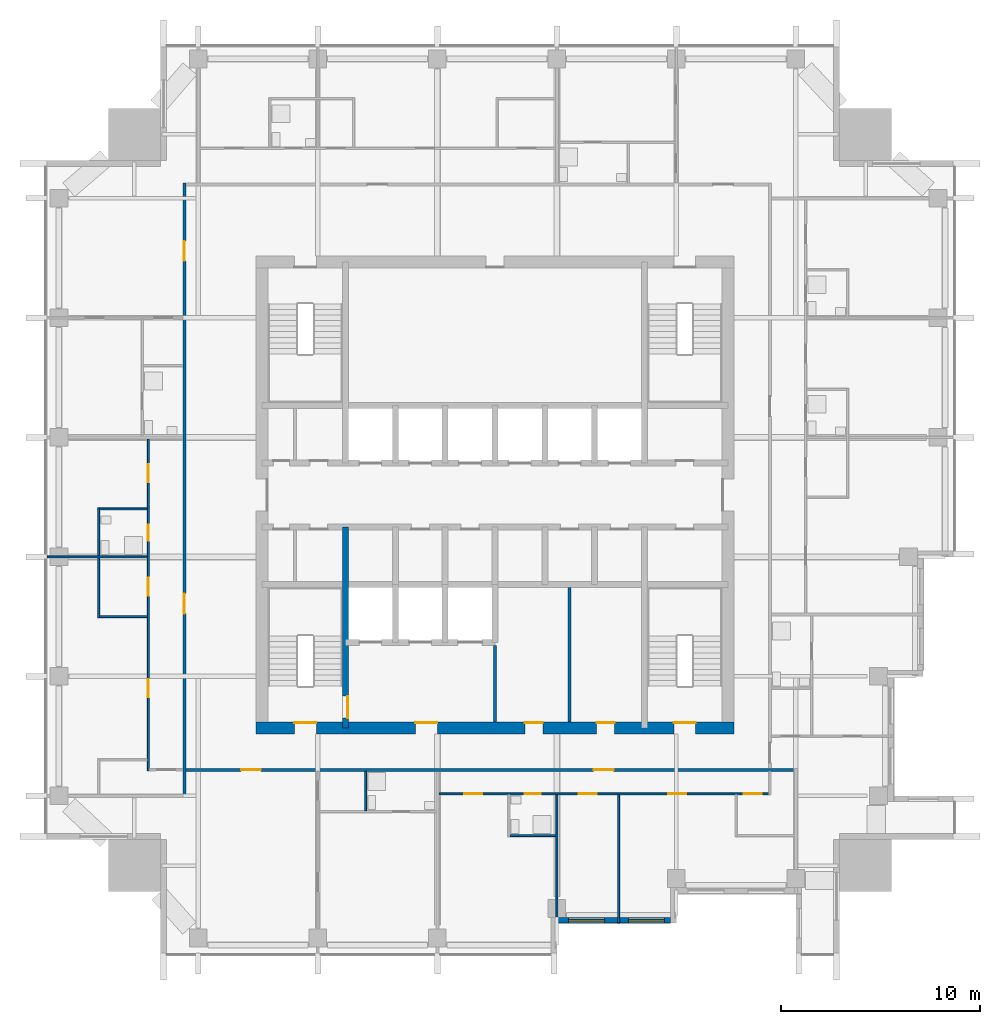
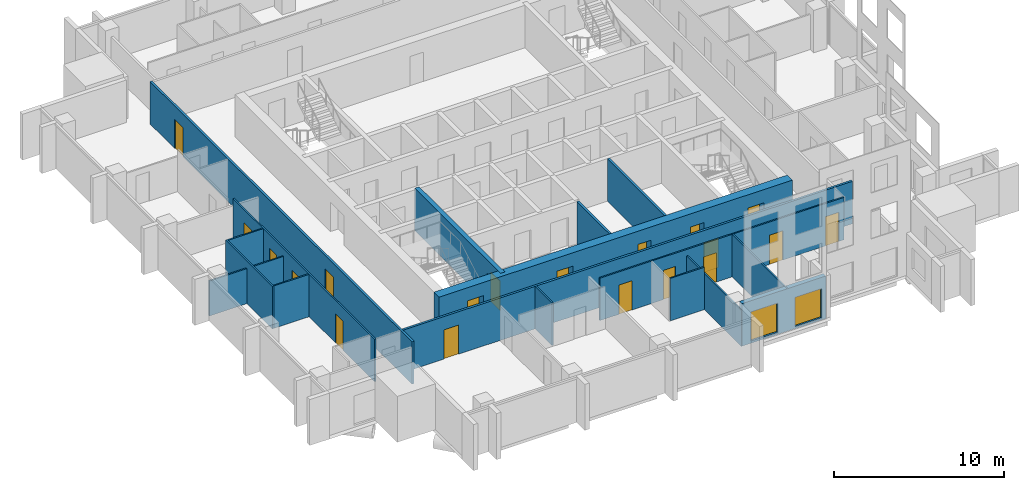
# One storey, part 4 of 12: 19 doors, 17 walls, 2 windows, 21 openings.
"""IFC4 building model written with IfcOpenShell, lengths in metres."""

from ifc_helpers import new_model, si_unit, direction, frame, frame_2d, origin, place, context, subcontext, project, spatial, rectangle, extrude, material, layer, layer_set, type_object, element, fill, save


model = new_model("IFC4")

# Units and contexts
model_context = context("Model", 3, precision=1e-05, world=origin(), true_north=direction((0.0, 1.0)))
body_context = subcontext(model_context, "Body", "Model", "MODEL_VIEW")
ifc_project = project(units=[si_unit("LENGTHUNIT", "METRE"), si_unit("AREAUNIT", "SQUARE_METRE"), si_unit("VOLUMEUNIT", "CUBIC_METRE"), si_unit("PLANEANGLEUNIT", "RADIAN"), si_unit("MASSUNIT", "GRAM", prefix="KILO")], contexts=[model_context])

# Site, building, storey
site_placement = place(None, origin())
site = spatial("IfcSite", under=ifc_project, at=site_placement, CompositionType="ELEMENT")
building_placement = place(site_placement, origin())
building = spatial("IfcBuilding", under=site, at=building_placement, Name="Amberfall Residences", CompositionType="ELEMENT")
storey_placement = place(building_placement, frame((0.0, 0.0, 187.0)))
storey = spatial("IfcBuildingStorey", under=building, at=storey_placement, Name="L49", CompositionType="ELEMENT", Elevation=187.0)

# Wall, openings, windows
ifc_material_1 = material(Name="Pale stone cladding on insulated backing", Category="masonry")
ifc_layer_1 = layer(ifc_material_1, 0.300048828125)
ifc_layer_set_1 = layer_set([ifc_layer_1], Name="Bronze clad wall 300")
wall_type_1 = type_object("IfcWallType", Name="Bronze clad wall 300", PredefinedType="SOLIDWALL", material=ifc_layer_set_1)
wall_1_placement = place(storey_placement, frame((77.60009765625, 24.14990234375, 0.0), z_axis=(0.0, 0.0, 1.0), x_axis=(1.0, 0.0, 0.0)))
wall_1 = element("IfcWall", 1, at=wall_1_placement, inside=storey, type_object=wall_type_1, Name="Stone wall L49 S", PredefinedType="SOLIDWALL", context=body_context, shape_type="SweptSolid", body=[
    extrude(rectangle(XDim=5.699951171875, YDim=0.300048828125, at=frame_2d((2.85009765625, 0.0))), origin(), (0.0, 0.0, 1.0), 3.050048828125),
])
opening_1_placement = place(wall_1_placement, frame((0.60009765625, 0.0, 0.14990234375)))
opening_1 = element("IfcOpeningElement", 2, at=opening_1_placement, cuts=wall_1, Name="Opening WN6", PredefinedType="OPENING", context=body_context, shape_type="SweptSolid", body=[
    extrude(rectangle(XDim=1.800048828125, YDim=2.10009765625, at=frame_2d((0.89990234375, 1.050048828125))), frame((0.0, 0.159912109375, 0.0), z_axis=(0.0, -1.0, 0.0), x_axis=(1.0, 0.0, 0.0)), (0.0, 0.0, 1.0), 0.320068359375),
])
opening_2_placement = place(wall_1_placement, frame((3.60009765625, 0.0, 0.14990234375)))
opening_2 = element("IfcOpeningElement", 3, at=opening_2_placement, cuts=wall_1, Name="Opening WN6", PredefinedType="OPENING", context=body_context, shape_type="SweptSolid", body=[
    extrude(rectangle(XDim=1.800048828125, YDim=2.10009765625, at=frame_2d((0.89990234375, 1.050048828125))), frame((0.0, 0.159912109375, 0.0), z_axis=(0.0, -1.0, 0.0), x_axis=(1.0, 0.0, 0.0)), (0.0, 0.0, 1.0), 0.320068359375),
])
ifc_material_2 = material(Name="Bronze aluminium framed glazing", Category="aluminium")
window_type = type_object("IfcWindowType", Name="Glazed opening 1800 x 2100 bronze", PartitioningType="DOUBLE_PANEL_VERTICAL", PredefinedType="WINDOW", material=ifc_material_2)
window_1_placement = place(opening_1_placement, origin())
window_1 = element("IfcWindow", 4, at=window_1_placement, inside=storey, type_object=window_type, Name="Window L49 S", OverallHeight=2.10009765625, OverallWidth=1.800048828125, PartitioningType="DOUBLE_PANEL_VERTICAL", PredefinedType="WINDOW", context=body_context, shape_type="SweptSolid", body=[
    extrude(rectangle(XDim=1.800048828125, YDim=2.10009765625, at=frame_2d((0.89990234375, 1.050048828125))), frame((0.0, 0.030029296875, 0.0), z_axis=(0.0, -1.0, 0.0), x_axis=(1.0, 0.0, 0.0)), (0.0, 0.0, 1.0), 0.06005859375),
])
fill(opening_1, window_1)
window_2_placement = place(opening_2_placement, origin())
window_2 = element("IfcWindow", 5, at=window_2_placement, inside=storey, type_object=window_type, Name="Window L49 S", OverallHeight=2.10009765625, OverallWidth=1.800048828125, PartitioningType="DOUBLE_PANEL_VERTICAL", PredefinedType="WINDOW", context=body_context, shape_type="SweptSolid", body=[
    extrude(rectangle(XDim=1.800048828125, YDim=2.10009765625, at=frame_2d((0.89990234375, 1.050048828125))), frame((0.0, 0.030029296875, 0.0), z_axis=(0.0, -1.0, 0.0), x_axis=(1.0, 0.0, 0.0)), (0.0, 0.0, 1.0), 0.06005859375),
])
fill(opening_2, window_2)

# Wall, opening, door
ifc_material_3 = material(Name="Concrete C55", Category="concrete")
ifc_layer_2 = layer(ifc_material_3, 0.300048828125)
ifc_layer_set_2 = layer_set([ifc_layer_2], Name="Core wall 300 C55")
wall_type_2 = type_object("IfcWallType", Name="Core wall 300 C55", PredefinedType="SHEAR", material=ifc_layer_set_2)
wall_2_placement = place(storey_placement, frame((67.0, 33.800048828125, 0.0), z_axis=(0.0, 0.0, 1.0), x_axis=(0.0, 1.0, 0.0)))
wall_2 = element("IfcWall", 6, at=wall_2_placement, inside=storey, type_object=wall_type_2, Name="Core wall RW8 L49 V45S", PredefinedType="SHEAR", context=body_context, shape_type="SweptSolid", body=[
    extrude(rectangle(XDim=10.099853515625, YDim=0.300048828125, at=frame_2d((5.0498046875, 0.0))), origin(), (0.0, 0.0, 1.0), 3.050048828125),
])
opening_3_placement = place(wall_2_placement, frame((0.5, 0.0, 0.0)))
opening_3 = element("IfcOpeningElement", 7, at=opening_3_placement, cuts=wall_2, Name="Opening FL1", PredefinedType="OPENING", context=body_context, shape_type="SweptSolid", body=[
    extrude(rectangle(XDim=1.10009765625, YDim=2.10009765625, at=frame_2d((0.550048828125, 1.050048828125))), frame((0.0, 0.159912109375, 0.0), z_axis=(0.0, -1.0, 0.0), x_axis=(1.0, 0.0, 0.0)), (0.0, 0.0, 1.0), 0.320068359375),
])
ifc_material_4 = material(Name="Steel fire door set", Category="steel")
door_type_1 = type_object("IfcDoorType", Name="Firefighting lobby door 1100 x 2100", OperationType="SINGLE_SWING_LEFT", PredefinedType="DOOR", material=ifc_material_4)
door_1_placement = place(opening_3_placement, origin())
door_1 = element("IfcDoor", 8, at=door_1_placement, inside=storey, type_object=door_type_1, Name="FL1 L49", OperationType="SINGLE_SWING_RIGHT", OverallHeight=2.10009765625, OverallWidth=1.10009765625, PredefinedType="DOOR", context=body_context, shape_type="SweptSolid", body=[
    extrude(rectangle(XDim=1.10009765625, YDim=2.10009765625, at=frame_2d((0.550048828125, 1.050048828125))), frame((0.0, -0.08740234375, 0.0), z_axis=(0.0, -1.0, 0.0), x_axis=(1.0, 0.0, 0.0)), (0.0, 0.0, 1.0), 0.050048828125),
])
fill(opening_3, door_1)

# Wall, openings, doors
ifc_layer_3 = layer(ifc_material_3, 0.60009765625)
ifc_layer_set_3 = layer_set([ifc_layer_3], Name="Core wall 600 C55")
wall_type_3 = type_object("IfcWallType", Name="Core wall 600 C55", PredefinedType="SHEAR", material=ifc_layer_set_3)
wall_3_placement = place(storey_placement, frame((62.5, 33.800048828125, 0.0), z_axis=(0.0, 0.0, 1.0), x_axis=(1.0, 0.0, 0.0)))
wall_3 = element("IfcWall", 9, at=wall_3_placement, inside=storey, type_object=wall_type_3, Name="Core wall RW7 L49 OS", PredefinedType="SHEAR", context=body_context, shape_type="SweptSolid", body=[
    extrude(rectangle(XDim=24.0, YDim=0.60009765625, at=frame_2d((12.0, 0.0))), origin(), (0.0, 0.0, 1.0), 3.050048828125),
])
opening_4_placement = place(wall_3_placement, frame((1.925048828125, 0.0, 0.0)))
opening_4 = element("IfcOpeningElement", 10, at=opening_4_placement, cuts=wall_3, Name="Opening SD1", PredefinedType="OPENING", context=body_context, shape_type="SweptSolid", body=[
    extrude(rectangle(XDim=1.10009765625, YDim=2.10009765625, at=frame_2d((0.550048828125, 1.050048828125))), frame((0.0, 0.31005859375, 0.0), z_axis=(0.0, -1.0, 0.0), x_axis=(1.0, 0.0, 0.0)), (0.0, 0.0, 1.0), 0.6201171875),
])
opening_5_placement = place(wall_3_placement, frame((20.97509765625, 0.0, 0.0)))
opening_5 = element("IfcOpeningElement", 11, at=opening_5_placement, cuts=wall_3, Name="Opening SD1", PredefinedType="OPENING", context=body_context, shape_type="SweptSolid", body=[
    extrude(rectangle(XDim=1.10009765625, YDim=2.10009765625, at=frame_2d((0.550048828125, 1.050048828125))), frame((0.0, 0.31005859375, 0.0), z_axis=(0.0, -1.0, 0.0), x_axis=(1.0, 0.0, 0.0)), (0.0, 0.0, 1.0), 0.6201171875),
])
opening_6_placement = place(wall_3_placement, frame((8.0, 0.0, 0.0)))
opening_6 = element("IfcOpeningElement", 12, at=opening_6_placement, cuts=wall_3, Name="Opening FL1", PredefinedType="OPENING", context=body_context, shape_type="SweptSolid", body=[
    extrude(rectangle(XDim=1.10009765625, YDim=2.10009765625, at=frame_2d((0.550048828125, 1.050048828125))), frame((0.0, 0.31005859375, 0.0), z_axis=(0.0, -1.0, 0.0), x_axis=(1.0, 0.0, 0.0)), (0.0, 0.0, 1.0), 0.6201171875),
])
opening_7_placement = place(wall_3_placement, frame((13.5, 0.0, 0.0)))
opening_7 = element("IfcOpeningElement", 13, at=opening_7_placement, cuts=wall_3, Name="Opening RD1", PredefinedType="OPENING", context=body_context, shape_type="SweptSolid", body=[
    extrude(rectangle(XDim=0.89990234375, YDim=2.10009765625, at=frame_2d((0.449951171875, 1.050048828125))), frame((0.0, 0.31005859375, 0.0), z_axis=(0.0, -1.0, 0.0), x_axis=(1.0, 0.0, 0.0)), (0.0, 0.0, 1.0), 0.6201171875),
])
opening_8_placement = place(wall_3_placement, frame((17.10009765625, 0.0, 0.0)))
opening_8 = element("IfcOpeningElement", 14, at=opening_8_placement, cuts=wall_3, Name="Opening RD1", PredefinedType="OPENING", context=body_context, shape_type="SweptSolid", body=[
    extrude(rectangle(XDim=0.89990234375, YDim=2.10009765625, at=frame_2d((0.449951171875, 1.050048828125))), frame((0.0, 0.31005859375, 0.0), z_axis=(0.0, -1.0, 0.0), x_axis=(1.0, 0.0, 0.0)), (0.0, 0.0, 1.0), 0.6201171875),
])
door_2_placement = place(opening_6_placement, origin())
door_2 = element("IfcDoor", 15, at=door_2_placement, inside=storey, type_object=door_type_1, Name="FL1 L49", OperationType="SINGLE_SWING_LEFT", OverallHeight=2.10009765625, OverallWidth=1.10009765625, PredefinedType="DOOR", context=body_context, shape_type="SweptSolid", body=[
    extrude(rectangle(XDim=1.10009765625, YDim=2.10009765625, at=frame_2d((0.550048828125, 1.050048828125))), frame((0.0, 0.28759765625, 0.0), z_axis=(0.0, -1.0, 0.0), x_axis=(1.0, 0.0, 0.0)), (0.0, 0.0, 1.0), 0.050048828125),
])
fill(opening_6, door_2)
door_type_2 = type_object("IfcDoorType", Name="Service room door 900 x 2100", OperationType="SINGLE_SWING_LEFT", PredefinedType="DOOR", material=ifc_material_4)
door_3_placement = place(opening_7_placement, origin())
door_3 = element("IfcDoor", 16, at=door_3_placement, inside=storey, type_object=door_type_2, Name="RD1 L49", OperationType="SINGLE_SWING_LEFT", OverallHeight=2.10009765625, OverallWidth=0.89990234375, PredefinedType="DOOR", context=body_context, shape_type="SweptSolid", body=[
    extrude(rectangle(XDim=0.89990234375, YDim=2.10009765625, at=frame_2d((0.449951171875, 1.050048828125))), frame((0.0, 0.28759765625, 0.0), z_axis=(0.0, -1.0, 0.0), x_axis=(1.0, 0.0, 0.0)), (0.0, 0.0, 1.0), 0.050048828125),
])
fill(opening_7, door_3)
door_4_placement = place(opening_8_placement, origin())
door_4 = element("IfcDoor", 17, at=door_4_placement, inside=storey, type_object=door_type_2, Name="RD1 L49", OperationType="SINGLE_SWING_LEFT", OverallHeight=2.10009765625, OverallWidth=0.89990234375, PredefinedType="DOOR", context=body_context, shape_type="SweptSolid", body=[
    extrude(rectangle(XDim=0.89990234375, YDim=2.10009765625, at=frame_2d((0.449951171875, 1.050048828125))), frame((0.0, 0.28759765625, 0.0), z_axis=(0.0, -1.0, 0.0), x_axis=(1.0, 0.0, 0.0)), (0.0, 0.0, 1.0), 0.050048828125),
])
fill(opening_8, door_4)
door_type_3 = type_object("IfcDoorType", Name="Stair door 1100 x 2100", OperationType="SINGLE_SWING_LEFT", PredefinedType="DOOR", material=ifc_material_4)
door_5_placement = place(opening_4_placement, origin())
door_5 = element("IfcDoor", 18, at=door_5_placement, inside=storey, type_object=door_type_3, Name="SD1 L49", OperationType="SINGLE_SWING_LEFT", OverallHeight=2.10009765625, OverallWidth=1.10009765625, PredefinedType="DOOR", context=body_context, shape_type="SweptSolid", body=[
    extrude(rectangle(XDim=1.10009765625, YDim=2.10009765625, at=frame_2d((0.550048828125, 1.050048828125))), frame((0.0, 0.28759765625, 0.0), z_axis=(0.0, -1.0, 0.0), x_axis=(1.0, 0.0, 0.0)), (0.0, 0.0, 1.0), 0.050048828125),
])
fill(opening_4, door_5)
door_6_placement = place(opening_5_placement, origin())
door_6 = element("IfcDoor", 19, at=door_6_placement, inside=storey, type_object=door_type_3, Name="SD1 L49", OperationType="SINGLE_SWING_RIGHT", OverallHeight=2.10009765625, OverallWidth=1.10009765625, PredefinedType="DOOR", context=body_context, shape_type="SweptSolid", body=[
    extrude(rectangle(XDim=1.10009765625, YDim=2.10009765625, at=frame_2d((0.550048828125, 1.050048828125))), frame((0.0, 0.28759765625, 0.0), z_axis=(0.0, -1.0, 0.0), x_axis=(1.0, 0.0, 0.0)), (0.0, 0.0, 1.0), 0.050048828125),
])
fill(opening_5, door_6)

# Wall
ifc_material_5 = material(Name="Gypsum board on metal stud")
ifc_layer_4 = layer(ifc_material_5, 0.10009765625)
ifc_layer_set_4 = layer_set([ifc_layer_4], Name="Flat partition 100")
wall_type_4 = type_object("IfcWallType", Name="Flat partition 100", PredefinedType="PARTITIONING", material=ifc_layer_set_4)
wall_4_placement = place(storey_placement, frame((54.60009765625, 39.35009765625, 0.0), z_axis=(0.0, 0.0, 1.0), x_axis=(0.0, 1.0, 0.0)))
element("IfcWall", 20, at=wall_4_placement, inside=storey, type_object=wall_type_4, Name="Partition 002", PredefinedType="PARTITIONING", context=body_context, shape_type="SweptSolid", body=[
    extrude(rectangle(XDim=5.5, YDim=0.10009765625, at=frame_2d((2.75, 0.0))), origin(), (0.0, 0.0, 1.0), 3.050048828125),
])

# Wall, openings, doors
wall_5_placement = place(storey_placement, frame((57.10009765625, 31.64990234375, 0.0), z_axis=(0.0, 0.0, 1.0), x_axis=(0.0, 1.0, 0.0)))
wall_5 = element("IfcWall", 21, at=wall_5_placement, inside=storey, type_object=wall_type_4, Name="Partition 004", PredefinedType="PARTITIONING", context=body_context, shape_type="SweptSolid", body=[
    extrude(rectangle(XDim=16.675048828125, YDim=0.10009765625, at=frame_2d((8.33740234375, 0.0))), origin(), (0.0, 0.0, 1.0), 3.050048828125),
])
opening_9_placement = place(wall_5_placement, frame((3.699951171875, 0.0, 0.0)))
opening_9 = element("IfcOpeningElement", 22, at=opening_9_placement, cuts=wall_5, Name="Opening D41", PredefinedType="OPENING", context=body_context, shape_type="SweptSolid", body=[
    extrude(rectangle(XDim=0.89990234375, YDim=2.10009765625, at=frame_2d((0.449951171875, 1.050048828125))), frame((0.0, 0.06005859375, 0.0), z_axis=(0.0, -1.0, 0.0), x_axis=(1.0, 0.0, 0.0)), (0.0, 0.0, 1.0), 0.1201171875),
])
opening_10_placement = place(wall_5_placement, frame((8.800048828125, 0.0, 0.0)))
opening_10 = element("IfcOpeningElement", 23, at=opening_10_placement, cuts=wall_5, Name="Opening D41", PredefinedType="OPENING", context=body_context, shape_type="SweptSolid", body=[
    extrude(rectangle(XDim=0.89990234375, YDim=2.10009765625, at=frame_2d((0.449951171875, 1.050048828125))), frame((0.0, 0.06005859375, 0.0), z_axis=(0.0, -1.0, 0.0), x_axis=(1.0, 0.0, 0.0)), (0.0, 0.0, 1.0), 0.1201171875),
])
opening_11_placement = place(wall_5_placement, frame((14.5, 0.0, 0.0)))
opening_11 = element("IfcOpeningElement", 24, at=opening_11_placement, cuts=wall_5, Name="Opening D41", PredefinedType="OPENING", context=body_context, shape_type="SweptSolid", body=[
    extrude(rectangle(XDim=0.89990234375, YDim=2.10009765625, at=frame_2d((0.449951171875, 1.050048828125))), frame((0.0, 0.06005859375, 0.0), z_axis=(0.0, -1.0, 0.0), x_axis=(1.0, 0.0, 0.0)), (0.0, 0.0, 1.0), 0.1201171875),
])
opening_12_placement = place(wall_5_placement, frame((11.550048828125, 0.0, 0.0)))
opening_12 = element("IfcOpeningElement", 25, at=opening_12_placement, cuts=wall_5, Name="Opening D42", PredefinedType="OPENING", context=body_context, shape_type="SweptSolid", body=[
    extrude(rectangle(XDim=0.800048828125, YDim=2.10009765625, at=frame_2d((0.39990234375, 1.050048828125))), frame((0.0, 0.06005859375, 0.0), z_axis=(0.0, -1.0, 0.0), x_axis=(1.0, 0.0, 0.0)), (0.0, 0.0, 1.0), 0.1201171875),
])
ifc_material_6 = material(Name="Timber", Category="wood")
door_type_4 = type_object("IfcDoorType", Name="Bathroom door 800 x 2100", OperationType="SINGLE_SWING_LEFT", PredefinedType="DOOR", material=ifc_material_6)
door_7_placement = place(opening_12_placement, origin())
door_7 = element("IfcDoor", 26, at=door_7_placement, inside=storey, type_object=door_type_4, Name="Door 4907 bath1", OperationType="SINGLE_SWING_LEFT", OverallHeight=2.10009765625, OverallWidth=0.800048828125, PredefinedType="DOOR", context=body_context, shape_type="SweptSolid", body=[
    extrude(rectangle(XDim=0.800048828125, YDim=2.10009765625, at=frame_2d((0.39990234375, 1.050048828125))), frame((0.0, 0.02490234375, 0.0), z_axis=(0.0, -1.0, 0.0), x_axis=(1.0, 0.0, 0.0)), (0.0, 0.0, 1.0), 0.050048828125),
])
fill(opening_12, door_7)
door_type_5 = type_object("IfcDoorType", Name="Internal door 900 x 2100", OperationType="SINGLE_SWING_LEFT", PredefinedType="DOOR", material=ifc_material_6)
door_8_placement = place(opening_9_placement, origin())
door_8 = element("IfcDoor", 27, at=door_8_placement, inside=storey, type_object=door_type_5, Name="Door 4907 living", OperationType="SINGLE_SWING_LEFT", OverallHeight=2.10009765625, OverallWidth=0.89990234375, PredefinedType="DOOR", context=body_context, shape_type="SweptSolid", body=[
    extrude(rectangle(XDim=0.89990234375, YDim=2.10009765625, at=frame_2d((0.449951171875, 1.050048828125))), frame((0.0, 0.02490234375, 0.0), z_axis=(0.0, -1.0, 0.0), x_axis=(1.0, 0.0, 0.0)), (0.0, 0.0, 1.0), 0.050048828125),
])
fill(opening_9, door_8)
door_9_placement = place(opening_10_placement, origin())
door_9 = element("IfcDoor", 28, at=door_9_placement, inside=storey, type_object=door_type_5, Name="Door 4907 kitchen", OperationType="SINGLE_SWING_LEFT", OverallHeight=2.10009765625, OverallWidth=0.89990234375, PredefinedType="DOOR", context=body_context, shape_type="SweptSolid", body=[
    extrude(rectangle(XDim=0.89990234375, YDim=2.10009765625, at=frame_2d((0.449951171875, 1.050048828125))), frame((0.0, 0.02490234375, 0.0), z_axis=(0.0, -1.0, 0.0), x_axis=(1.0, 0.0, 0.0)), (0.0, 0.0, 1.0), 0.050048828125),
])
fill(opening_10, door_9)
door_10_placement = place(opening_11_placement, origin())
door_10 = element("IfcDoor", 29, at=door_10_placement, inside=storey, type_object=door_type_5, Name="Door 4907 bedroom1", OperationType="SINGLE_SWING_LEFT", OverallHeight=2.10009765625, OverallWidth=0.89990234375, PredefinedType="DOOR", context=body_context, shape_type="SweptSolid", body=[
    extrude(rectangle(XDim=0.89990234375, YDim=2.10009765625, at=frame_2d((0.449951171875, 1.050048828125))), frame((0.0, 0.02490234375, 0.0), z_axis=(0.0, -1.0, 0.0), x_axis=(1.0, 0.0, 0.0)), (0.0, 0.0, 1.0), 0.050048828125),
])
fill(opening_11, door_10)

# Walls
wall_6_placement = place(storey_placement, frame((68.0, 29.64990234375, 0.0), z_axis=(0.0, 0.0, 1.0), x_axis=(0.0, 1.0, 0.0)))
element("IfcWall", 30, at=wall_6_placement, inside=storey, type_object=wall_type_4, Name="Partition 009", PredefinedType="PARTITIONING", context=body_context, shape_type="SweptSolid", body=[
    extrude(rectangle(XDim=1.97509765625, YDim=0.10009765625, at=frame_2d((0.987548828125, 0.0))), origin(), (0.0, 0.0, 1.0), 3.050048828125),
])
wall_7_placement = place(storey_placement, frame((77.60009765625, 24.0, 0.0), z_axis=(0.0, 0.0, 1.0), x_axis=(0.0, 1.0, 0.0)))
element("IfcWall", 31, at=wall_7_placement, inside=storey, type_object=wall_type_4, Name="Partition 012", PredefinedType="PARTITIONING", context=body_context, shape_type="SweptSolid", body=[
    extrude(rectangle(XDim=6.449951171875, YDim=0.10009765625, at=frame_2d((3.22509765625, 0.0))), origin(), (0.0, 0.0, 1.0), 2.590087890625),
])
wall_8_placement = place(storey_placement, frame((80.699951171875, 24.0, 0.0), z_axis=(0.0, 0.0, 1.0), x_axis=(0.0, 1.0, 0.0)))
element("IfcWall", 32, at=wall_8_placement, inside=storey, type_object=wall_type_4, Name="Partition 013", PredefinedType="PARTITIONING", context=body_context, shape_type="SweptSolid", body=[
    extrude(rectangle(XDim=6.449951171875, YDim=0.10009765625, at=frame_2d((3.22509765625, 0.0))), origin(), (0.0, 0.0, 1.0), 3.050048828125),
])
wall_9_placement = place(storey_placement, frame((54.64990234375, 44.800048828125, 0.0), z_axis=(0.0, 0.0, 1.0), x_axis=(1.0, 0.0, 0.0)))
element("IfcWall", 33, at=wall_9_placement, inside=storey, type_object=wall_type_4, Name="Partition 033", PredefinedType="PARTITIONING", context=body_context, shape_type="SweptSolid", body=[
    extrude(rectangle(XDim=2.400146484375, YDim=0.10009765625, at=frame_2d((1.2001953125, 0.0))), origin(), (0.0, 0.0, 1.0), 3.050048828125),
])
wall_10_placement = place(storey_placement, frame((52.0, 42.39990234375, 0.0), z_axis=(0.0, 0.0, 1.0), x_axis=(1.0, 0.0, 0.0)))
element("IfcWall", 34, at=wall_10_placement, inside=storey, type_object=wall_type_4, Name="Partition 034", PredefinedType="PARTITIONING", context=body_context, shape_type="SweptSolid", body=[
    extrude(rectangle(XDim=5.050048828125, YDim=0.10009765625, at=frame_2d((2.52490234375, 0.0))), origin(), (0.0, 0.0, 1.0), 2.51611328125),
])
wall_11_placement = place(storey_placement, frame((54.64990234375, 39.39990234375, 0.0), z_axis=(0.0, 0.0, 1.0), x_axis=(1.0, 0.0, 0.0)))
element("IfcWall", 35, at=wall_11_placement, inside=storey, type_object=wall_type_4, Name="Partition 035", PredefinedType="PARTITIONING", context=body_context, shape_type="SweptSolid", body=[
    extrude(rectangle(XDim=2.400146484375, YDim=0.10009765625, at=frame_2d((1.2001953125, 0.0))), origin(), (0.0, 0.0, 1.0), 3.050048828125),
])

# Wall, openings, doors
wall_12_placement = place(storey_placement, frame((88.25, 30.5, 0.0), z_axis=(0.0, 0.0, 1.0), x_axis=(-1.0, 0.0, 0.0)))
wall_12 = element("IfcWall", 36, at=wall_12_placement, inside=storey, type_object=wall_type_4, Name="Partition 040", PredefinedType="PARTITIONING", context=body_context, shape_type="SweptSolid", body=[
    extrude(rectangle(XDim=16.574951171875, YDim=0.10009765625, at=frame_2d((8.28759765625, 0.0))), origin(), (0.0, 0.0, 1.0), 3.050048828125),
])
opening_13_placement = place(wall_12_placement, frame((4.14990234375, 0.0, 0.0)))
opening_13 = element("IfcOpeningElement", 37, at=opening_13_placement, cuts=wall_12, Name="Opening D41", PredefinedType="OPENING", context=body_context, shape_type="SweptSolid", body=[
    extrude(rectangle(XDim=0.89990234375, YDim=2.10009765625, at=frame_2d((0.449951171875, 1.050048828125))), frame((0.0, 0.06005859375, 0.0), z_axis=(0.0, -1.0, 0.0), x_axis=(1.0, 0.0, 0.0)), (0.0, 0.0, 1.0), 0.1201171875),
])
opening_14_placement = place(wall_12_placement, frame((0.35009765625, 0.0, 0.0)))
opening_14 = element("IfcOpeningElement", 38, at=opening_14_placement, cuts=wall_12, Name="Opening D41", PredefinedType="OPENING", context=body_context, shape_type="SweptSolid", body=[
    extrude(rectangle(XDim=0.89990234375, YDim=2.10009765625, at=frame_2d((0.449951171875, 1.050048828125))), frame((0.0, 0.06005859375, 0.0), z_axis=(0.0, -1.0, 0.0), x_axis=(1.0, 0.0, 0.0)), (0.0, 0.0, 1.0), 0.1201171875),
])
opening_15_placement = place(wall_12_placement, frame((14.39990234375, 0.0, 0.0)))
opening_15 = element("IfcOpeningElement", 39, at=opening_15_placement, cuts=wall_12, Name="Opening D41", PredefinedType="OPENING", context=body_context, shape_type="SweptSolid", body=[
    extrude(rectangle(XDim=0.89990234375, YDim=2.10009765625, at=frame_2d((0.449951171875, 1.050048828125))), frame((0.0, 0.06005859375, 0.0), z_axis=(0.0, -1.0, 0.0), x_axis=(1.0, 0.0, 0.0)), (0.0, 0.0, 1.0), 0.1201171875),
])
opening_16_placement = place(wall_12_placement, frame((8.64990234375, 0.0, 0.0)))
opening_16 = element("IfcOpeningElement", 40, at=opening_16_placement, cuts=wall_12, Name="Opening D41", PredefinedType="OPENING", context=body_context, shape_type="SweptSolid", body=[
    extrude(rectangle(XDim=0.89990234375, YDim=2.10009765625, at=frame_2d((0.449951171875, 1.050048828125))), frame((0.0, 0.06005859375, 0.0), z_axis=(0.0, -1.0, 0.0), x_axis=(1.0, 0.0, 0.0)), (0.0, 0.0, 1.0), 0.1201171875),
])
opening_17_placement = place(wall_12_placement, frame((11.449951171875, 0.0, 0.0)))
opening_17 = element("IfcOpeningElement", 41, at=opening_17_placement, cuts=wall_12, Name="Opening D42", PredefinedType="OPENING", context=body_context, shape_type="SweptSolid", body=[
    extrude(rectangle(XDim=0.800048828125, YDim=2.10009765625, at=frame_2d((0.39990234375, 1.050048828125))), frame((0.0, 0.06005859375, 0.0), z_axis=(0.0, -1.0, 0.0), x_axis=(1.0, 0.0, 0.0)), (0.0, 0.0, 1.0), 0.1201171875),
])
door_11_placement = place(opening_17_placement, origin())
door_11 = element("IfcDoor", 42, at=door_11_placement, inside=storey, type_object=door_type_4, Name="Door 4902 bath1", OperationType="SINGLE_SWING_LEFT", OverallHeight=2.10009765625, OverallWidth=0.800048828125, PredefinedType="DOOR", context=body_context, shape_type="SweptSolid", body=[
    extrude(rectangle(XDim=0.800048828125, YDim=2.10009765625, at=frame_2d((0.39990234375, 1.050048828125))), frame((0.0, 0.02490234375, 0.0), z_axis=(0.0, -1.0, 0.0), x_axis=(1.0, 0.0, 0.0)), (0.0, 0.0, 1.0), 0.050048828125),
])
fill(opening_17, door_11)
door_12_placement = place(opening_13_placement, origin())
door_12 = element("IfcDoor", 43, at=door_12_placement, inside=storey, type_object=door_type_5, Name="Door 4902 living", OperationType="SINGLE_SWING_LEFT", OverallHeight=2.10009765625, OverallWidth=0.89990234375, PredefinedType="DOOR", context=body_context, shape_type="SweptSolid", body=[
    extrude(rectangle(XDim=0.89990234375, YDim=2.10009765625, at=frame_2d((0.449951171875, 1.050048828125))), frame((0.0, 0.02490234375, 0.0), z_axis=(0.0, -1.0, 0.0), x_axis=(1.0, 0.0, 0.0)), (0.0, 0.0, 1.0), 0.050048828125),
])
fill(opening_13, door_12)
door_13_placement = place(opening_14_placement, origin())
door_13 = element("IfcDoor", 44, at=door_13_placement, inside=storey, type_object=door_type_5, Name="Door 4902 kitchen", OperationType="SINGLE_SWING_LEFT", OverallHeight=2.10009765625, OverallWidth=0.89990234375, PredefinedType="DOOR", context=body_context, shape_type="SweptSolid", body=[
    extrude(rectangle(XDim=0.89990234375, YDim=2.10009765625, at=frame_2d((0.449951171875, 1.050048828125))), frame((0.0, 0.02490234375, 0.0), z_axis=(0.0, -1.0, 0.0), x_axis=(1.0, 0.0, 0.0)), (0.0, 0.0, 1.0), 0.050048828125),
])
fill(opening_14, door_13)
door_14_placement = place(opening_15_placement, origin())
door_14 = element("IfcDoor", 45, at=door_14_placement, inside=storey, type_object=door_type_5, Name="Door 4902 bedroom1", OperationType="SINGLE_SWING_LEFT", OverallHeight=2.10009765625, OverallWidth=0.89990234375, PredefinedType="DOOR", context=body_context, shape_type="SweptSolid", body=[
    extrude(rectangle(XDim=0.89990234375, YDim=2.10009765625, at=frame_2d((0.449951171875, 1.050048828125))), frame((0.0, 0.02490234375, 0.0), z_axis=(0.0, -1.0, 0.0), x_axis=(1.0, 0.0, 0.0)), (0.0, 0.0, 1.0), 0.050048828125),
])
fill(opening_15, door_14)
door_15_placement = place(opening_16_placement, origin())
door_15 = element("IfcDoor", 46, at=door_15_placement, inside=storey, type_object=door_type_5, Name="Door 4902 bedroom2", OperationType="SINGLE_SWING_LEFT", OverallHeight=2.10009765625, OverallWidth=0.89990234375, PredefinedType="DOOR", context=body_context, shape_type="SweptSolid", body=[
    extrude(rectangle(XDim=0.89990234375, YDim=2.10009765625, at=frame_2d((0.449951171875, 1.050048828125))), frame((0.0, 0.02490234375, 0.0), z_axis=(0.0, -1.0, 0.0), x_axis=(1.0, 0.0, 0.0)), (0.0, 0.0, 1.0), 0.050048828125),
])
fill(opening_16, door_15)

# Wall
wall_13_placement = place(storey_placement, frame((75.25, 28.39990234375, 0.0), z_axis=(0.0, 0.0, 1.0), x_axis=(1.0, 0.0, 0.0)))
element("IfcWall", 47, at=wall_13_placement, inside=storey, type_object=wall_type_4, Name="Partition 042", PredefinedType="PARTITIONING", context=body_context, shape_type="SweptSolid", body=[
    extrude(rectangle(XDim=2.300048828125, YDim=0.10009765625, at=frame_2d((1.14990234375, 0.0))), origin(), (0.0, 0.0, 1.0), 3.050048828125),
])

# Wall, openings, doors
ifc_material_7 = material(Name="Blockwork, plastered", Category="masonry")
ifc_layer_5 = layer(ifc_material_7, 0.14990234375)
ifc_layer_set_5 = layer_set([ifc_layer_5], Name="Flat separating wall 150")
wall_type_5 = type_object("IfcWallType", Name="Flat separating wall 150", PredefinedType="PARTITIONING", material=ifc_layer_set_5)
wall_14_placement = place(storey_placement, frame((58.89990234375, 30.324951171875, 0.0), z_axis=(0.0, 0.0, 1.0), x_axis=(0.0, 1.0, 0.0)))
wall_14 = element("IfcWall", 48, at=wall_14_placement, inside=storey, type_object=wall_type_5, Name="Separating wall 044", PredefinedType="PARTITIONING", context=body_context, shape_type="SweptSolid", body=[
    extrude(rectangle(XDim=30.85009765625, YDim=0.14990234375, at=frame_2d((15.425048828125, 0.0))), origin(), (0.0, 0.0, 1.0), 3.050048828125),
])
opening_18_placement = place(wall_14_placement, frame((9.22509765625, 0.0, 0.0)))
opening_18 = element("IfcOpeningElement", 49, at=opening_18_placement, cuts=wall_14, Name="Opening D40", PredefinedType="OPENING", context=body_context, shape_type="SweptSolid", body=[
    extrude(rectangle(XDim=1.0, YDim=2.10009765625, at=frame_2d((0.5, 1.050048828125))), frame((0.0, 0.0849609375, 0.0), z_axis=(0.0, -1.0, 0.0), x_axis=(1.0, 0.0, 0.0)), (0.0, 0.0, 1.0), 0.169921875),
])
opening_19_placement = place(wall_14_placement, frame((26.925048828125, 0.0, 0.0)))
opening_19 = element("IfcOpeningElement", 50, at=opening_19_placement, cuts=wall_14, Name="Opening D40", PredefinedType="OPENING", context=body_context, shape_type="SweptSolid", body=[
    extrude(rectangle(XDim=1.0, YDim=2.10009765625, at=frame_2d((0.5, 1.050048828125))), frame((0.0, 0.0849609375, 0.0), z_axis=(0.0, -1.0, 0.0), x_axis=(1.0, 0.0, 0.0)), (0.0, 0.0, 1.0), 0.169921875),
])
ifc_material_8 = material(Name="Timber, fire-rated", Category="wood")
door_type_6 = type_object("IfcDoorType", Name="Flat entrance door FD60 1000 x 2100", OperationType="SINGLE_SWING_LEFT", PredefinedType="DOOR", material=ifc_material_8)
door_16_placement = place(opening_18_placement, origin())
door_16 = element("IfcDoor", 51, at=door_16_placement, inside=storey, type_object=door_type_6, Name="Door 4907 entrance", OperationType="SINGLE_SWING_LEFT", OverallHeight=2.10009765625, OverallWidth=1.0, PredefinedType="DOOR", context=body_context, shape_type="SweptSolid", body=[
    extrude(rectangle(XDim=1.0, YDim=2.10009765625, at=frame_2d((0.5, 1.050048828125))), frame((0.0, 0.02490234375, 0.0), z_axis=(0.0, -1.0, 0.0), x_axis=(1.0, 0.0, 0.0)), (0.0, 0.0, 1.0), 0.050048828125),
])
fill(opening_18, door_16)
door_17_placement = place(opening_19_placement, origin())
door_17 = element("IfcDoor", 52, at=door_17_placement, inside=storey, type_object=door_type_6, Name="Door 4908 entrance", OperationType="SINGLE_SWING_LEFT", OverallHeight=2.10009765625, OverallWidth=1.0, PredefinedType="DOOR", context=body_context, shape_type="SweptSolid", body=[
    extrude(rectangle(XDim=1.0, YDim=2.10009765625, at=frame_2d((0.5, 1.050048828125))), frame((0.0, 0.02490234375, 0.0), z_axis=(0.0, -1.0, 0.0), x_axis=(1.0, 0.0, 0.0)), (0.0, 0.0, 1.0), 0.050048828125),
])
fill(opening_19, door_17)

wall_15_placement = place(storey_placement, frame((89.52490234375, 31.699951171875, 0.0), z_axis=(0.0, 0.0, 1.0), x_axis=(-1.0, 0.0, 0.0)))
wall_15 = element("IfcWall", 53, at=wall_15_placement, inside=storey, type_object=wall_type_5, Name="Separating wall 054", PredefinedType="PARTITIONING", context=body_context, shape_type="SweptSolid", body=[
    extrude(rectangle(XDim=30.5498046875, YDim=0.14990234375, at=frame_2d((15.27490234375, 0.0))), origin(), (0.0, 0.0, 1.0), 3.050048828125),
])
opening_20_placement = place(wall_15_placement, frame((26.77490234375, 0.0, 0.0)))
opening_20 = element("IfcOpeningElement", 54, at=opening_20_placement, cuts=wall_15, Name="Opening D40", PredefinedType="OPENING", context=body_context, shape_type="SweptSolid", body=[
    extrude(rectangle(XDim=1.0, YDim=2.10009765625, at=frame_2d((0.5, 1.050048828125))), frame((0.0, 0.0849609375, 0.0), z_axis=(0.0, -1.0, 0.0), x_axis=(1.0, 0.0, 0.0)), (0.0, 0.0, 1.0), 0.169921875),
])
opening_21_placement = place(wall_15_placement, frame((9.074951171875, 0.0, 0.0)))
opening_21 = element("IfcOpeningElement", 55, at=opening_21_placement, cuts=wall_15, Name="Opening D40", PredefinedType="OPENING", context=body_context, shape_type="SweptSolid", body=[
    extrude(rectangle(XDim=1.0, YDim=2.10009765625, at=frame_2d((0.5, 1.050048828125))), frame((0.0, 0.0849609375, 0.0), z_axis=(0.0, -1.0, 0.0), x_axis=(1.0, 0.0, 0.0)), (0.0, 0.0, 1.0), 0.169921875),
])
door_18_placement = place(opening_20_placement, origin())
door_18 = element("IfcDoor", 56, at=door_18_placement, inside=storey, type_object=door_type_6, Name="Door 4901 entrance", OperationType="SINGLE_SWING_LEFT", OverallHeight=2.10009765625, OverallWidth=1.0, PredefinedType="DOOR", context=body_context, shape_type="SweptSolid", body=[
    extrude(rectangle(XDim=1.0, YDim=2.10009765625, at=frame_2d((0.5, 1.050048828125))), frame((0.0, 0.02490234375, 0.0), z_axis=(0.0, -1.0, 0.0), x_axis=(1.0, 0.0, 0.0)), (0.0, 0.0, 1.0), 0.050048828125),
])
fill(opening_20, door_18)
door_19_placement = place(opening_21_placement, origin())
door_19 = element("IfcDoor", 57, at=door_19_placement, inside=storey, type_object=door_type_6, Name="Door 4902 entrance", OperationType="SINGLE_SWING_LEFT", OverallHeight=2.10009765625, OverallWidth=1.0, PredefinedType="DOOR", context=body_context, shape_type="SweptSolid", body=[
    extrude(rectangle(XDim=1.0, YDim=2.10009765625, at=frame_2d((0.5, 1.050048828125))), frame((0.0, 0.02490234375, 0.0), z_axis=(0.0, -1.0, 0.0), x_axis=(1.0, 0.0, 0.0)), (0.0, 0.0, 1.0), 0.050048828125),
])
fill(opening_21, door_19)

# Walls
ifc_material_9 = material(Name="Concrete blockwork", Category="masonry")
ifc_layer_6 = layer(ifc_material_9, 0.14990234375)
ifc_layer_set_6 = layer_set([ifc_layer_6], Name="Riser wall 150")
wall_type_6 = type_object("IfcWallType", Name="Riser wall 150", PredefinedType="PLUMBINGWALL", material=ifc_layer_set_6)
wall_16_placement = place(storey_placement, frame((74.5, 34.10009765625, 0.0), z_axis=(0.0, 0.0, 1.0), x_axis=(0.0, 1.0, 0.0)))
element("IfcWall", 58, at=wall_16_placement, inside=storey, type_object=wall_type_6, Name="L49 core wall PX", PredefinedType="PLUMBINGWALL", context=body_context, shape_type="SweptSolid", body=[
    extrude(rectangle(XDim=3.849853515625, YDim=0.14990234375, at=frame_2d((1.9248046875, 0.0))), origin(), (0.0, 0.0, 1.0), 3.050048828125),
])
wall_17_placement = place(storey_placement, frame((78.25, 34.10009765625, 0.0), z_axis=(0.0, 0.0, 1.0), x_axis=(0.0, 1.0, 0.0)))
element("IfcWall", 59, at=wall_17_placement, inside=storey, type_object=wall_type_6, Name="L49 core wall E0", PredefinedType="PLUMBINGWALL", context=body_context, shape_type="SweptSolid", body=[
    extrude(rectangle(XDim=6.75, YDim=0.14990234375, at=frame_2d((3.375, 0.0))), origin(), (0.0, 0.0, 1.0), 3.050048828125),
])

save(model, "model.ifc")
